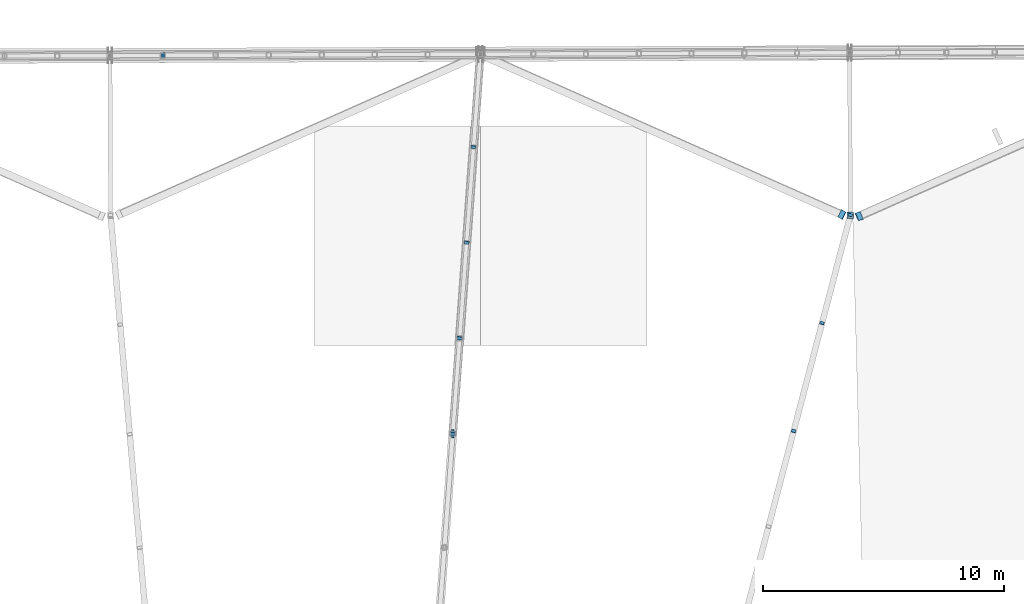
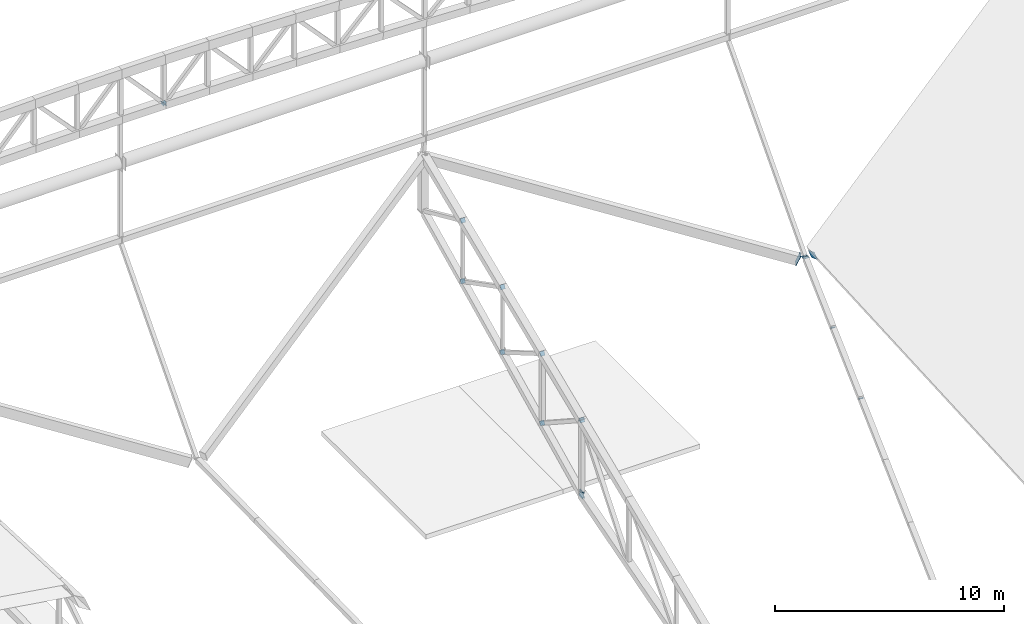
# One storey, part 172 of 188: 18 discrete accessories.
"""IFC4 building model written with IfcOpenShell, lengths in metres."""

import ifcopenshell
import ifcopenshell.guid

model = None  # the IFC model being written
_history = None  # IfcOwnerHistory: only IFC2X3 demands one
_inside = {}  # id of a spatial element -> (the spatial element, [elements in it])
_under = {}  # id of a project, library or spatial element -> (it, [spatial elements below it])
_declared = {}  # id of a project -> (the project, [libraries it declares])
_typed = {}  # id of a type object -> (the type object, [elements of that type])
_made_of = {}  # id of a material, layer set ... -> (it, [elements and type objects made of it])


def new_model(schema):
    """Start an empty IFC model of exactly this schema.

    Asked for "IFC4X3", IfcOpenShell would pick the latest addendum, in which some entities
    have other attributes; the version numbers below select the first issue.
    IFC2X3 requires an IfcOwnerHistory on every rooted entity: one is made here for all.
    """
    global model, _history
    if schema == "IFC4X3":
        model = ifcopenshell.file(schema_version=(4, 3, 0, 0))
    else:
        model = ifcopenshell.file(schema=schema)
    _inside.clear()
    _under.clear()
    _declared.clear()
    _typed.clear()
    _made_of.clear()
    _history = None
    if model.schema == "IFC2X3":
        org = make("IfcOrganization", Name="unknown")
        user = make(
            "IfcPersonAndOrganization",
            ThePerson=make("IfcPerson", FamilyName="unknown"),
            TheOrganization=org,
        )
        app = make(
            "IfcApplication",
            ApplicationDeveloper=org,
            Version="unknown",
            ApplicationFullName="unknown",
            ApplicationIdentifier="unknown",
        )
        _history = make(
            "IfcOwnerHistory",
            OwningUser=user,
            OwningApplication=app,
            ChangeAction="ADDED",
            CreationDate=0,
        )
    return model


def make(cls, **values):
    """One entity of the class cls with the attributes given. An attribute that is None is left unset."""
    return model.create_entity(
        cls, **{name: value for name, value in values.items() if value is not None}
    )


def rooted(cls, **values):
    """An entity with a GlobalId (a new one), such as an element, a storey or a relation."""
    return make(cls, GlobalId=ifcopenshell.guid.new(), OwnerHistory=_history, **values)


def si_unit(unit_type, name, prefix=None):
    """IfcSIUnit, for example si_unit("LENGTHUNIT", "METRE", prefix="MILLI")."""
    return make("IfcSIUnit", UnitType=unit_type, Prefix=prefix, Name=name)


def assignment(units):
    """IfcUnitAssignment: the units of a project."""
    return None if units is None else make("IfcUnitAssignment", Units=units)


def point(xyz):
    """IfcCartesianPoint."""
    return None if xyz is None else make("IfcCartesianPoint", Coordinates=xyz)


def direction(xyz):
    """IfcDirection."""
    return None if xyz is None else make("IfcDirection", DirectionRatios=xyz)


def frame(location, z_axis=None, x_axis=None):
    """IfcAxis2Placement3D, a coordinate frame: its origin and axes. An axis left out is left unset."""
    return make(
        "IfcAxis2Placement3D",
        Location=point(location),
        Axis=direction(z_axis),
        RefDirection=direction(x_axis),
    )


def frame_2d(location, x_axis=None):
    """IfcAxis2Placement2D, a coordinate frame in the plane: its origin and x axis."""
    return make(
        "IfcAxis2Placement2D", Location=point(location), RefDirection=direction(x_axis)
    )


def origin():
    """The frame at (0, 0, 0) with its axes left unset."""
    return frame((0.0, 0.0, 0.0))


def origin_2d():
    """The frame at (0, 0) in the plane with its x axis left unset."""
    return frame_2d((0.0, 0.0))


def place(relative_to, where):
    """IfcLocalPlacement: puts the frame where relative to a parent placement (None: the world)."""
    return make(
        "IfcLocalPlacement", PlacementRelTo=relative_to, RelativePlacement=where
    )


def context(
    kind, dimensions, precision=None, world=None, true_north=None, identifier=None
):
    """IfcGeometricRepresentationContext, for example the 3D "Model" context."""
    return make(
        "IfcGeometricRepresentationContext",
        ContextIdentifier=identifier,
        ContextType=kind,
        CoordinateSpaceDimension=dimensions,
        Precision=precision,
        WorldCoordinateSystem=world,
        TrueNorth=true_north,
    )


def subcontext(parent, identifier, kind, view, scale=None):
    """IfcGeometricRepresentationSubContext, for example "Body" below "Model"."""
    return make(
        "IfcGeometricRepresentationSubContext",
        ContextIdentifier=identifier,
        ContextType=kind,
        ParentContext=parent,
        TargetScale=scale,
        TargetView=view,
    )


def project(units=None, contexts=None):
    """IfcProject with its units and contexts."""
    return rooted(
        "IfcProject",
        Name="project",
        RepresentationContexts=contexts,
        UnitsInContext=assignment(units),
    )


def spatial(cls, under=None, at=None, **own):
    """A site, building, storey or space (cls), placed at a placement, below another one or the project."""
    s = rooted(cls, ObjectPlacement=at, **own)
    if under is not None:
        _under.setdefault(under.id(), (under, []))[1].append(s)
    return s


def profile(cls, at=None, kind="AREA", **sizes):
    """A parametric profile (cls). Its sizes go by their IFC names, for example OverallWidth=200.0."""
    return make(cls, ProfileType=kind, Position=at, **sizes)


def rectangle(**sizes):
    """IfcRectangleProfileDef."""
    return profile("IfcRectangleProfileDef", **sizes)


def extrude(swept, where, along, depth):
    """IfcExtrudedAreaSolid: the profile swept, set in the frame where, extruded along a direction by depth."""
    return make(
        "IfcExtrudedAreaSolid",
        SweptArea=swept,
        Position=where,
        ExtrudedDirection=direction(along),
        Depth=depth,
    )


def shape(context_of_items, identifier, shape_type, items):
    """IfcShapeRepresentation: the items that make up one representation, for example the "Body"."""
    return make(
        "IfcShapeRepresentation",
        ContextOfItems=context_of_items,
        RepresentationIdentifier=identifier,
        RepresentationType=shape_type,
        Items=items,
    )


def material(Name=None, Category=None):
    """IfcMaterial."""
    return make("IfcMaterial", Name=Name, Category=Category)


def material_profile(
    of_material, cross_section, Name=None, Category=None, Priority=None
):
    """IfcMaterialProfile: a cross section and its material."""
    return make(
        "IfcMaterialProfile",
        Name=Name,
        Material=of_material,
        Profile=cross_section,
        Priority=Priority,
        Category=Category,
    )


def profile_set(profiles, Name=None, composite=None):
    """IfcMaterialProfileSet."""
    return make(
        "IfcMaterialProfileSet",
        Name=Name,
        MaterialProfiles=profiles,
        CompositeProfile=composite,
    )


def made_of(thing, what):
    """Note that an element or type object is made of a material, layer set ...; save() writes the relation."""
    if what is not None:
        _made_of.setdefault(what.id(), (what, []))[1].append(thing)
    return thing


def type_object(cls, material=None, **own):
    """A type object (cls), such as IfcWallType, which elements share."""
    return made_of(rooted(cls, **own), material)


def element(
    cls,
    number,
    at=None,
    inside=None,
    cuts=None,
    type_object=None,
    material=None,
    context=None,
    identifier="Body",
    shape_type=None,
    held_by="IfcProductDefinitionShape",
    body=None,
    shapes=None,
    **own,
):
    """One element of the class cls, such as IfcWall. Its Tag is "e" and its number.

    at: its placement. inside: the storey or other place that contains it. cuts: it is an
    opening in that element (IfcRelVoidsElement). A single representation is given by context,
    identifier, shape_type and body (its items); several are given by shapes. held_by: the class
    of the entity that holds the representations. save() writes the other relations.
    """
    e = rooted(cls, Tag="e%d" % number, ObjectPlacement=at, **own)
    if body is not None:
        shapes = [shape(context, identifier, shape_type, body)]
    if shapes is not None:
        e.Representation = make(held_by, Representations=shapes)
    if inside is not None:
        _inside.setdefault(inside.id(), (inside, []))[1].append(e)
    if cuts is not None:
        rooted(
            "IfcRelVoidsElement", RelatingBuildingElement=cuts, RelatedOpeningElement=e
        )
    if type_object is not None:
        _typed.setdefault(type_object.id(), (type_object, []))[1].append(e)
    return made_of(e, material)


def aggregate(whole, parts):
    """IfcRelAggregates: a whole, such as a stair, and the parts it consists of."""
    return rooted("IfcRelAggregates", RelatingObject=whole, RelatedObjects=parts)


def save(model, path):
    """Write the relations noted so far, then the file.

    IfcRelAggregates (storeys below a building ...), IfcRelContainedInSpatialStructure (elements
    in a storey), IfcRelDefinesByType, IfcRelAssociatesMaterial and IfcRelDeclares: one each for
    every whole, place, type object, material and project.
    """
    for whole, parts in _under.values():
        aggregate(whole, parts)
    for where, things in _inside.values():
        rooted(
            "IfcRelContainedInSpatialStructure",
            RelatedElements=things,
            RelatingStructure=where,
        )
    for kind, things in _typed.values():
        rooted("IfcRelDefinesByType", RelatedObjects=things, RelatingType=kind)
    for what, things in _made_of.values():
        rooted("IfcRelAssociatesMaterial", RelatedObjects=things, RelatingMaterial=what)
    for by, libraries in _declared.values():
        rooted("IfcRelDeclares", RelatingContext=by, RelatedDefinitions=libraries)
    model.write(path)


model = new_model("IFC4")

# Units and contexts
model_context = context("Model", 3, precision=1e-05, world=origin(), true_north=direction((0.0, 1.0)))
body_context = subcontext(model_context, "Body", "Model", "MODEL_VIEW")
ifc_project = project(units=[si_unit("LENGTHUNIT", "METRE"), si_unit("AREAUNIT", "SQUARE_METRE"), si_unit("VOLUMEUNIT", "CUBIC_METRE"), si_unit("PLANEANGLEUNIT", "RADIAN"), si_unit("MASSUNIT", "GRAM", prefix="KILO")], contexts=[model_context])

# Site, building, storey
site_placement = place(None, origin())
site = spatial("IfcSite", under=ifc_project, at=site_placement, CompositionType="ELEMENT")
building_placement = place(site_placement, origin())
building = spatial("IfcBuilding", under=site, at=building_placement, Name="Meseta Stadium", CompositionType="ELEMENT")
storey_placement = place(building_placement, frame((0.0, 0.0, 30.0)))
storey = spatial("IfcBuildingStorey", under=building, at=storey_placement, Name="ROOF", CompositionType="ELEMENT", Elevation=30.0)

# Discrete accessories
ifc_material_1 = material(Name="Steel S355", Category="steel")
ifc_material_profile_1 = material_profile(ifc_material_1, rectangle(XDim=0.179931640625, YDim=0.179931640625, at=origin_2d()), Name="PL 180x180")
ifc_profile_set_1 = profile_set([ifc_material_profile_1], Name="Steel S355")
discrete_accessory_type_1 = type_object("IfcDiscreteAccessoryType", Name="End plate 180x180x20", PredefinedType="ANCHORPLATE", material=ifc_profile_set_1)
discrete_accessory_1_placement = place(storey_placement, frame((20.649658203125, 89.65625, 2.44775390625), z_axis=(0.184441720091, 0.713174651018, 0.676286307), x_axis=(-0.968146911612, 0.250382821969, 0.0)))
element("IfcDiscreteAccessory", 1, at=discrete_accessory_1_placement, inside=storey, type_object=discrete_accessory_type_1, Name="End plate of ROOF TRUSS RT-17 diagonal", PredefinedType="ANCHORPLATE", context=body_context, shape_type="SweptSolid", body=[
    extrude(rectangle(XDim=0.179931640625, YDim=0.179931640625, at=origin_2d()), origin(), (0.0, 0.0, 1.0), 0.019775390625),
])
for number, where, z_axis, x_axis, name in (
    (2, (21.82470703125, 94.128173828125, 3.093994140625), (0.19574886238, 0.746292537825, 0.636183802736), (-0.967279624391, 0.253712688365, 0.0), "End plate of ROOF TRUSS RT-17 diagonal"),
    (3, (23.0, 98.60009765625, 3.740234375), (0.194228544194, 0.740496324741, 0.643382052644), (-0.967279624391, 0.253712688365, 0.0), "End plate of ROOF TRUSS RT-17 diagonal"),
):
    element("IfcDiscreteAccessory", number, at=place(storey_placement, frame(where, z_axis=z_axis, x_axis=x_axis)), inside=storey, type_object=discrete_accessory_type_1, Name=name, PredefinedType="ANCHORPLATE", context=body_context, shape_type="SweptSolid", body=[
        extrude(rectangle(XDim=0.179931640625, YDim=0.179931640625, at=origin_2d()), origin(), (0.0, 0.0, 1.0), 0.02001953125),
    ])
ifc_material_2 = material(Name="Steel S355", Category="steel")
ifc_material_profile_2 = material_profile(ifc_material_2, rectangle(XDim=0.219970703125, YDim=0.219970703125, at=origin_2d()), Name="PL 220x220")
ifc_profile_set_2 = profile_set([ifc_material_profile_2], Name="Steel S355")
discrete_accessory_type_2 = type_object("IfcDiscreteAccessoryType", Name="End plate 220x220x20", PredefinedType="ANCHORPLATE", material=ifc_profile_set_2)
for number, where, z_axis, x_axis, name in (
    (4, (6.515869140625, 89.52978515625, 6.325927734375), (0.060790554368, 0.826751539405, -0.559273100186), (-0.99730762529, 0.073331443036, 0.0), "End plate of ROOF TRUSS RT-18 diagonal"),
    (5, (6.804443359375, 93.509765625, 3.654052734375), (0.061203590847, 0.832368835513, -0.550832317619), (-0.99730762529, 0.073331443036, 0.0), "End plate of ROOF TRUSS RT-18 diagonal"),
    (6, (6.80322265625, 93.49267578125, 7.367919921875), (0.061134928182, 0.855888994553, -0.513533396732), (-0.997458699831, 0.071247049988, 0.0), "End plate of ROOF TRUSS RT-18 diagonal"),
    (7, (7.091796875, 97.47314453125, 4.931396484375), (0.061134928182, 0.855888994553, -0.513533396732), (-0.997458699831, 0.071247049988, 0.0), "End plate of ROOF TRUSS RT-18 diagonal"),
):
    element("IfcDiscreteAccessory", number, at=place(storey_placement, frame(where, z_axis=z_axis, x_axis=x_axis)), inside=storey, type_object=discrete_accessory_type_2, Name=name, PredefinedType="ANCHORPLATE", context=body_context, shape_type="SweptSolid", body=[
        extrude(rectangle(XDim=0.219970703125, YDim=0.219970703125, at=origin_2d()), origin(), (0.0, 0.0, 1.0), 0.02001953125),
    ])
discrete_accessory_2_placement = place(storey_placement, frame((7.090576171875, 97.455810546875, 8.409912109375), z_axis=(0.061606448413, 0.87481156747, -0.480530297624), x_axis=(-0.997529518435, 0.070248557636, 0.0)))
element("IfcDiscreteAccessory", 8, at=discrete_accessory_2_placement, inside=storey, type_object=discrete_accessory_type_2, Name="End plate of ROOF TRUSS RT-18 diagonal", PredefinedType="ANCHORPLATE", context=body_context, shape_type="SweptSolid", body=[
    extrude(rectangle(XDim=0.219970703125, YDim=0.219970703125, at=origin_2d()), origin(), (0.0, 0.0, 1.0), 0.019775390625),
])
discrete_accessory_3_placement = place(storey_placement, frame((7.379150390625, 101.4365234375, 6.208740234375), z_axis=(0.072653921954, 0.871847063454, -0.484359479696), x_axis=(-0.996545758245, 0.083045479854, 0.0)))
element("IfcDiscreteAccessory", 9, at=discrete_accessory_3_placement, inside=storey, type_object=discrete_accessory_type_2, Name="End plate of ROOF TRUSS RT-18 diagonal", PredefinedType="ANCHORPLATE", context=body_context, shape_type="SweptSolid", body=[
    extrude(rectangle(XDim=0.219970703125, YDim=0.219970703125, at=origin_2d()), origin(), (0.0, 0.0, 1.0), 0.020263671875),
])
discrete_accessory_4_placement = place(storey_placement, frame((7.3779296875, 101.418701171875, 9.451904296875), z_axis=(0.061313933948, 0.895183435648, -0.441460324429), x_axis=(-0.997662565173, 0.068333052409, 0.0)))
element("IfcDiscreteAccessory", 10, at=discrete_accessory_4_placement, inside=storey, type_object=discrete_accessory_type_2, Name="End plate of ROOF TRUSS RT-18 diagonal", PredefinedType="ANCHORPLATE", context=body_context, shape_type="SweptSolid", body=[
    extrude(rectangle(XDim=0.219970703125, YDim=0.219970703125, at=origin_2d()), origin(), (0.0, 0.0, 1.0), 0.02001953125),
])
discrete_accessory_5_placement = place(storey_placement, frame((-5.498046875, 105.2314453125, 17.897705078125), z_axis=(-0.675673636205, -0.012284975204, -0.737098512223), x_axis=(0.018178813668, -0.999834751713, 0.0)))
element("IfcDiscreteAccessory", 11, at=discrete_accessory_5_placement, inside=storey, type_object=discrete_accessory_type_2, Name="End plate of GABLE ARCH GA-N diagonal", PredefinedType="ANCHORPLATE", context=body_context, shape_type="SweptSolid", body=[
    extrude(rectangle(XDim=0.219970703125, YDim=0.219970703125, at=origin_2d()), origin(), (0.0, 0.0, 1.0), 0.019775390625),
])
discrete_accessory_6_placement = place(storey_placement, frame((-5.484375, 105.2314453125, 17.8828125), z_axis=(-0.676271292685, 0.0, 0.736652658103), x_axis=(0.0, -1.0, 0.0)))
element("IfcDiscreteAccessory", 12, at=discrete_accessory_6_placement, inside=storey, type_object=discrete_accessory_type_2, Name="End plate of GABLE ARCH GA-N diagonal", PredefinedType="ANCHORPLATE", context=body_context, shape_type="SweptSolid", body=[
    extrude(rectangle(XDim=0.219970703125, YDim=0.219970703125, at=origin_2d()), origin(), (0.0, 0.0, 1.0), 0.020263671875),
])
ifc_material_3 = material(Name="Steel S355", Category="steel")
ifc_material_profile_3 = material_profile(ifc_material_3, rectangle(XDim=0.239990234375, YDim=0.239990234375, at=origin_2d()), Name="PL 240x240")
ifc_profile_set_3 = profile_set([ifc_material_profile_3], Name="Steel S355")
discrete_accessory_type_3 = type_object("IfcDiscreteAccessoryType", Name="End plate 240x240x20", PredefinedType="ANCHORPLATE", material=ifc_profile_set_3)
discrete_accessory_7_placement = place(storey_placement, frame((6.51708984375, 89.54638671875, 6.314697265625), z_axis=(0.048708102414, 0.706267485008, 0.706267485008), x_axis=(-0.997630328423, 0.068802091615, 0.0)))
element("IfcDiscreteAccessory", 13, at=discrete_accessory_7_placement, inside=storey, type_object=discrete_accessory_type_3, Name="End plate of ROOF TRUSS RT-18 diagonal", PredefinedType="ANCHORPLATE", context=body_context, shape_type="SweptSolid", body=[
    extrude(rectangle(XDim=0.239990234375, YDim=0.239990234375, at=origin_2d()), origin(), (0.0, 0.0, 1.0), 0.02001953125),
])
ifc_material_4 = material(Name="Steel S355", Category="steel")
ifc_material_profile_4 = material_profile(ifc_material_4, rectangle(XDim=0.260009765625, YDim=0.260009765625, at=origin_2d()), Name="PL 260x260")
ifc_profile_set_4 = profile_set([ifc_material_profile_4], Name="Steel S355")
discrete_accessory_type_4 = type_object("IfcDiscreteAccessoryType", Name="End plate 260x260x20", PredefinedType="ANCHORPLATE", material=ifc_profile_set_4)
discrete_accessory_8_placement = place(storey_placement, frame((23.0, 98.60009765625, 3.740234375), z_axis=(0.0, 0.0, 1.0), x_axis=(1.0, 0.0, 0.0)))
element("IfcDiscreteAccessory", 14, at=discrete_accessory_8_placement, inside=storey, type_object=discrete_accessory_type_4, Name="End plate of ROOF TRUSS RT-17 post", PredefinedType="ANCHORPLATE", context=body_context, shape_type="SweptSolid", body=[
    extrude(rectangle(XDim=0.260009765625, YDim=0.260009765625, at=origin_2d()), origin(), (0.0, 0.0, 1.0), 0.02001953125),
])
ifc_material_5 = material(Name="Steel S355", Category="steel")
ifc_material_profile_5 = material_profile(ifc_material_5, rectangle(XDim=0.340087890625, YDim=0.340087890625, at=origin_2d()), Name="PL 340x340")
ifc_profile_set_5 = profile_set([ifc_material_profile_5], Name="Steel S355")
discrete_accessory_type_5 = type_object("IfcDiscreteAccessoryType", Name="End plate 340x340x20", PredefinedType="ANCHORPLATE", material=ifc_profile_set_5)
discrete_accessory_9_placement = place(storey_placement, frame((6.51708984375, 89.54638671875, 2.376953125), z_axis=(-0.978158850918, 0.0, 0.20785875582), x_axis=(0.0, -1.0, 0.0)))
element("IfcDiscreteAccessory", 15, at=discrete_accessory_9_placement, inside=storey, type_object=discrete_accessory_type_5, Name="End plate of ROOF PIVOT STRUT RT-17/18", PredefinedType="ANCHORPLATE", context=body_context, shape_type="SweptSolid", body=[
    extrude(rectangle(XDim=0.340087890625, YDim=0.340087890625, at=origin_2d()), origin(), (0.0, 0.0, 1.0), 0.02001953125),
])
discrete_accessory_10_placement = place(storey_placement, frame((6.536376953125, 89.54638671875, 2.381591796875), z_axis=(-0.972275475429, 0.0, -0.233838405483), x_axis=(0.0, -1.0, 0.0)))
element("IfcDiscreteAccessory", 16, at=discrete_accessory_10_placement, inside=storey, type_object=discrete_accessory_type_5, Name="End plate of ROOF PIVOT STRUT RT-18/19", PredefinedType="ANCHORPLATE", context=body_context, shape_type="SweptSolid", body=[
    extrude(rectangle(XDim=0.340087890625, YDim=0.340087890625, at=origin_2d()), origin(), (0.0, 0.0, 1.0), 0.019775390625),
])
ifc_material_6 = material(Name="Steel S355", Category="steel")
ifc_material_profile_6 = material_profile(ifc_material_6, rectangle(XDim=0.340087890625, YDim=0.5400390625, at=origin_2d()), Name="PL 340x540")
ifc_profile_set_6 = profile_set([ifc_material_profile_6], Name="Steel S355")
discrete_accessory_type_6 = type_object("IfcDiscreteAccessoryType", Name="End plate 340x540x20", PredefinedType="ANCHORPLATE", material=ifc_profile_set_6)
discrete_accessory_11_placement = place(storey_placement, frame((23.3779296875, 98.568359375, 3.751953125), z_axis=(-0.84791926469, -0.368660549865, -0.380949234861), x_axis=(0.377493710206, -0.924414801082, 0.05436703317)))
element("IfcDiscreteAccessory", 17, at=discrete_accessory_11_placement, inside=storey, type_object=discrete_accessory_type_6, Name="End plate of RIM RING BEAM 17", PredefinedType="ANCHORPLATE", context=body_context, shape_type="SweptSolid", body=[
    extrude(rectangle(XDim=0.340087890625, YDim=0.5400390625, at=origin_2d()), origin(), (0.0, 0.0, 1.0), 0.019775390625),
])
discrete_accessory_12_placement = place(storey_placement, frame((22.661376953125, 98.62890625, 3.726806640625), z_axis=(-0.85131948188, 0.36485120652, 0.377012913404), x_axis=(-0.417290642912, -0.906440619923, -0.065068593747)))
element("IfcDiscreteAccessory", 18, at=discrete_accessory_12_placement, inside=storey, type_object=discrete_accessory_type_6, Name="End plate of RIM RING BEAM 18", PredefinedType="ANCHORPLATE", context=body_context, shape_type="SweptSolid", body=[
    extrude(rectangle(XDim=0.340087890625, YDim=0.5400390625, at=origin_2d()), origin(), (0.0, 0.0, 1.0), 0.02001953125),
])

save(model, "model.ifc")
